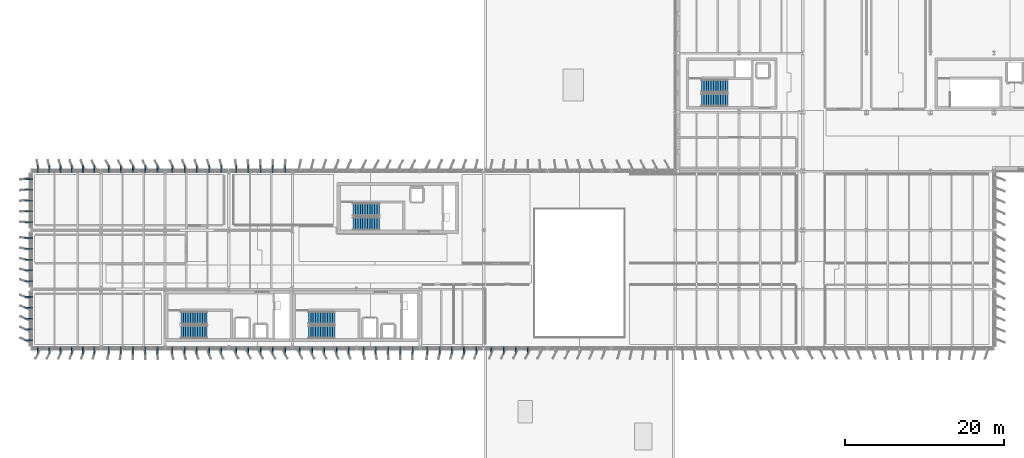
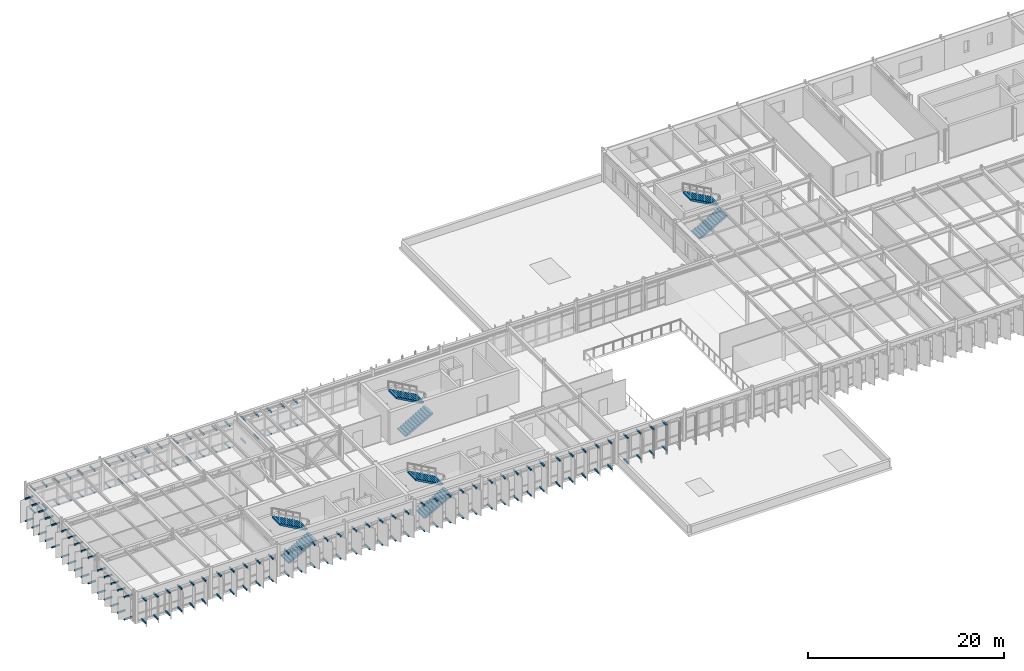
# One storey, part 44 of 56: 152 discrete accessories, 8 stair flights, 4 elements without a shape of their own.
"""IFC4 building model written with IfcOpenShell, lengths in metres."""

import ifcopenshell
import ifcopenshell.guid

model = None  # the IFC model being written
_history = None  # IfcOwnerHistory: only IFC2X3 demands one
_inside = {}  # id of a spatial element -> (the spatial element, [elements in it])
_under = {}  # id of a project, library or spatial element -> (it, [spatial elements below it])
_declared = {}  # id of a project -> (the project, [libraries it declares])
_typed = {}  # id of a type object -> (the type object, [elements of that type])
_made_of = {}  # id of a material, layer set ... -> (it, [elements and type objects made of it])


def new_model(schema):
    """Start an empty IFC model of exactly this schema.

    Asked for "IFC4X3", IfcOpenShell would pick the latest addendum, in which some entities
    have other attributes; the version numbers below select the first issue.
    IFC2X3 requires an IfcOwnerHistory on every rooted entity: one is made here for all.
    """
    global model, _history
    if schema == "IFC4X3":
        model = ifcopenshell.file(schema_version=(4, 3, 0, 0))
    else:
        model = ifcopenshell.file(schema=schema)
    _inside.clear()
    _under.clear()
    _declared.clear()
    _typed.clear()
    _made_of.clear()
    _history = None
    if model.schema == "IFC2X3":
        org = make("IfcOrganization", Name="unknown")
        user = make(
            "IfcPersonAndOrganization",
            ThePerson=make("IfcPerson", FamilyName="unknown"),
            TheOrganization=org,
        )
        app = make(
            "IfcApplication",
            ApplicationDeveloper=org,
            Version="unknown",
            ApplicationFullName="unknown",
            ApplicationIdentifier="unknown",
        )
        _history = make(
            "IfcOwnerHistory",
            OwningUser=user,
            OwningApplication=app,
            ChangeAction="ADDED",
            CreationDate=0,
        )
    return model


def make(cls, **values):
    """One entity of the class cls with the attributes given. An attribute that is None is left unset."""
    return model.create_entity(
        cls, **{name: value for name, value in values.items() if value is not None}
    )


def rooted(cls, **values):
    """An entity with a GlobalId (a new one), such as an element, a storey or a relation."""
    return make(cls, GlobalId=ifcopenshell.guid.new(), OwnerHistory=_history, **values)


def si_unit(unit_type, name, prefix=None):
    """IfcSIUnit, for example si_unit("LENGTHUNIT", "METRE", prefix="MILLI")."""
    return make("IfcSIUnit", UnitType=unit_type, Prefix=prefix, Name=name)


def assignment(units):
    """IfcUnitAssignment: the units of a project."""
    return None if units is None else make("IfcUnitAssignment", Units=units)


def point(xyz):
    """IfcCartesianPoint."""
    return None if xyz is None else make("IfcCartesianPoint", Coordinates=xyz)


def direction(xyz):
    """IfcDirection."""
    return None if xyz is None else make("IfcDirection", DirectionRatios=xyz)


def frame(location, z_axis=None, x_axis=None):
    """IfcAxis2Placement3D, a coordinate frame: its origin and axes. An axis left out is left unset."""
    return make(
        "IfcAxis2Placement3D",
        Location=point(location),
        Axis=direction(z_axis),
        RefDirection=direction(x_axis),
    )


def frame_2d(location, x_axis=None):
    """IfcAxis2Placement2D, a coordinate frame in the plane: its origin and x axis."""
    return make(
        "IfcAxis2Placement2D", Location=point(location), RefDirection=direction(x_axis)
    )


def origin():
    """The frame at (0, 0, 0) with its axes left unset."""
    return frame((0.0, 0.0, 0.0))


def origin_2d():
    """The frame at (0, 0) in the plane with its x axis left unset."""
    return frame_2d((0.0, 0.0))


def place(relative_to, where):
    """IfcLocalPlacement: puts the frame where relative to a parent placement (None: the world)."""
    return make(
        "IfcLocalPlacement", PlacementRelTo=relative_to, RelativePlacement=where
    )


def context(
    kind, dimensions, precision=None, world=None, true_north=None, identifier=None
):
    """IfcGeometricRepresentationContext, for example the 3D "Model" context."""
    return make(
        "IfcGeometricRepresentationContext",
        ContextIdentifier=identifier,
        ContextType=kind,
        CoordinateSpaceDimension=dimensions,
        Precision=precision,
        WorldCoordinateSystem=world,
        TrueNorth=true_north,
    )


def subcontext(parent, identifier, kind, view, scale=None):
    """IfcGeometricRepresentationSubContext, for example "Body" below "Model"."""
    return make(
        "IfcGeometricRepresentationSubContext",
        ContextIdentifier=identifier,
        ContextType=kind,
        ParentContext=parent,
        TargetScale=scale,
        TargetView=view,
    )


def project(units=None, contexts=None):
    """IfcProject with its units and contexts."""
    return rooted(
        "IfcProject",
        Name="project",
        RepresentationContexts=contexts,
        UnitsInContext=assignment(units),
    )


def spatial(cls, under=None, at=None, **own):
    """A site, building, storey or space (cls), placed at a placement, below another one or the project."""
    s = rooted(cls, ObjectPlacement=at, **own)
    if under is not None:
        _under.setdefault(under.id(), (under, []))[1].append(s)
    return s


def polyline(points):
    """IfcPolyline through the points."""
    return make("IfcPolyline", Points=[point(p) for p in points])


def profile(cls, at=None, kind="AREA", **sizes):
    """A parametric profile (cls). Its sizes go by their IFC names, for example OverallWidth=200.0."""
    return make(cls, ProfileType=kind, Position=at, **sizes)


def rectangle(**sizes):
    """IfcRectangleProfileDef."""
    return profile("IfcRectangleProfileDef", **sizes)


def outline(outer, holes=None, kind="AREA"):
    """IfcArbitraryClosedProfileDef: a profile drawn as a closed curve; with holes, ...WithVoids."""
    if holes is None:
        return make("IfcArbitraryClosedProfileDef", ProfileType=kind, OuterCurve=outer)
    return make(
        "IfcArbitraryProfileDefWithVoids",
        ProfileType=kind,
        OuterCurve=outer,
        InnerCurves=holes,
    )


def extrude(swept, where, along, depth):
    """IfcExtrudedAreaSolid: the profile swept, set in the frame where, extruded along a direction by depth."""
    return make(
        "IfcExtrudedAreaSolid",
        SweptArea=swept,
        Position=where,
        ExtrudedDirection=direction(along),
        Depth=depth,
    )


def shape(context_of_items, identifier, shape_type, items):
    """IfcShapeRepresentation: the items that make up one representation, for example the "Body"."""
    return make(
        "IfcShapeRepresentation",
        ContextOfItems=context_of_items,
        RepresentationIdentifier=identifier,
        RepresentationType=shape_type,
        Items=items,
    )


def material(Name=None, Category=None):
    """IfcMaterial."""
    return make("IfcMaterial", Name=Name, Category=Category)


def made_of(thing, what):
    """Note that an element or type object is made of a material, layer set ...; save() writes the relation."""
    if what is not None:
        _made_of.setdefault(what.id(), (what, []))[1].append(thing)
    return thing


def type_object(cls, material=None, **own):
    """A type object (cls), such as IfcWallType, which elements share."""
    return made_of(rooted(cls, **own), material)


def element(
    cls,
    number,
    at=None,
    inside=None,
    cuts=None,
    type_object=None,
    material=None,
    context=None,
    identifier="Body",
    shape_type=None,
    held_by="IfcProductDefinitionShape",
    body=None,
    shapes=None,
    **own,
):
    """One element of the class cls, such as IfcWall. Its Tag is "e" and its number.

    at: its placement. inside: the storey or other place that contains it. cuts: it is an
    opening in that element (IfcRelVoidsElement). A single representation is given by context,
    identifier, shape_type and body (its items); several are given by shapes. held_by: the class
    of the entity that holds the representations. save() writes the other relations.
    """
    e = rooted(cls, Tag="e%d" % number, ObjectPlacement=at, **own)
    if body is not None:
        shapes = [shape(context, identifier, shape_type, body)]
    if shapes is not None:
        e.Representation = make(held_by, Representations=shapes)
    if inside is not None:
        _inside.setdefault(inside.id(), (inside, []))[1].append(e)
    if cuts is not None:
        rooted(
            "IfcRelVoidsElement", RelatingBuildingElement=cuts, RelatedOpeningElement=e
        )
    if type_object is not None:
        _typed.setdefault(type_object.id(), (type_object, []))[1].append(e)
    return made_of(e, material)


def aggregate(whole, parts):
    """IfcRelAggregates: a whole, such as a stair, and the parts it consists of."""
    return rooted("IfcRelAggregates", RelatingObject=whole, RelatedObjects=parts)


def save(model, path):
    """Write the relations noted so far, then the file.

    IfcRelAggregates (storeys below a building ...), IfcRelContainedInSpatialStructure (elements
    in a storey), IfcRelDefinesByType, IfcRelAssociatesMaterial and IfcRelDeclares: one each for
    every whole, place, type object, material and project.
    """
    for whole, parts in _under.values():
        aggregate(whole, parts)
    for where, things in _inside.values():
        rooted(
            "IfcRelContainedInSpatialStructure",
            RelatedElements=things,
            RelatingStructure=where,
        )
    for kind, things in _typed.values():
        rooted("IfcRelDefinesByType", RelatedObjects=things, RelatingType=kind)
    for what, things in _made_of.values():
        rooted("IfcRelAssociatesMaterial", RelatedObjects=things, RelatingMaterial=what)
    for by, libraries in _declared.values():
        rooted("IfcRelDeclares", RelatingContext=by, RelatedDefinitions=libraries)
    model.write(path)


model = new_model("IFC4")

# Units and contexts
model_context = context("Model", 3, precision=1e-05, world=origin(), true_north=direction((0.0, 1.0)))
body_context = subcontext(model_context, "Body", "Model", "MODEL_VIEW")
ifc_project = project(units=[si_unit("LENGTHUNIT", "METRE"), si_unit("AREAUNIT", "SQUARE_METRE"), si_unit("VOLUMEUNIT", "CUBIC_METRE"), si_unit("PLANEANGLEUNIT", "RADIAN"), si_unit("MASSUNIT", "GRAM", prefix="KILO")], contexts=[model_context])

# Site, building, storey
site_placement = place(None, origin())
site = spatial("IfcSite", under=ifc_project, at=site_placement, CompositionType="ELEMENT")
building_placement = place(site_placement, origin())
building = spatial("IfcBuilding", under=site, at=building_placement, Name="Valkorina Park Police Headquarters", CompositionType="ELEMENT")
storey_placement = place(building_placement, frame((0.0, 0.0, 14.10009765625)))
storey = spatial("IfcBuildingStorey", under=building, at=storey_placement, Name="L04", CompositionType="ELEMENT", Elevation=14.10009765625)

# Stair, stair flights
ifc_material_1 = material(Name="Concrete C35/45", Category="concrete")
stair_type = type_object("IfcStairType", Name="ST-DOGLEG-160-40", PredefinedType="HALF_TURN_STAIR", material=ifc_material_1)
stair_1_placement = place(storey_placement, origin())
stair_1 = element("IfcStair", 1, at=stair_1_placement, inside=storey, type_object=stair_type, Name="L04 Core C1 Protected Stair (ST-05)", PredefinedType="HALF_TURN_STAIR")
stair_flight_type = type_object("IfcStairFlightType", Name="STF-STRAIGHT-160-40", PredefinedType="STRAIGHT", material=ifc_material_1)
stair_flight_1_placement = place(storey_placement, frame((18.800048828125, 39.0, 0.0), z_axis=(0.0, 0.0, 1.0), x_axis=(1.0, 0.0, 0.0)))
stair_flight_1 = element("IfcStairFlight", 2, at=stair_flight_1_placement, type_object=stair_flight_type, Name="ST-05 flight 1", NumberOfRisers=12, NumberOfTreads=11, PredefinedType="STRAIGHT", RiserHeight=0.166666667, TreadLength=0.3, context=body_context, shape_type="SweptSolid", body=[
    extrude(outline(polyline([(0.0, 0.0), (0.0, 0.166748046875), (0.300048828125, 0.166748046875), (0.300048828125, 0.333251953125), (0.60009765625, 0.333251953125), (0.60009765625, 0.5), (0.89990234375, 0.5), (0.89990234375, 0.666748046875), (1.199951171875, 0.666748046875), (1.199951171875, 0.833251953125), (1.5, 0.833251953125), (1.5, 1.0), (1.800048828125, 1.0), (1.800048828125, 1.166748046875), (2.10009765625, 1.166748046875), (2.10009765625, 1.333251953125), (2.39990234375, 1.333251953125), (2.39990234375, 1.5), (2.699951171875, 1.5), (2.699951171875, 1.666748046875), (3.0, 1.666748046875), (3.0, 1.833251953125), (3.300048828125, 1.833251953125), (3.300048828125, 2.0), (3.300048828125, 1.650390625), (0.329345703125, 0.0), (0.0, 0.0)])), frame((0.0, 0.800048828125, 0.0), z_axis=(0.0, -1.0, 0.0), x_axis=(1.0, 0.0, 0.0)), (0.0, 0.0, 1.0), 1.60009765625),
])
stair_flight_2_placement = place(storey_placement, frame((22.10009765625, 40.800048828125, 2.0), z_axis=(0.0, 0.0, 1.0), x_axis=(-1.0, 0.0, 0.0)))
stair_flight_2 = element("IfcStairFlight", 3, at=stair_flight_2_placement, type_object=stair_flight_type, Name="ST-05 flight 2", NumberOfRisers=12, NumberOfTreads=11, PredefinedType="STRAIGHT", RiserHeight=0.166666667, TreadLength=0.3, context=body_context, shape_type="SweptSolid", body=[
    extrude(outline(polyline([(0.0, 0.0), (0.0, 0.166748046875), (0.300048828125, 0.166748046875), (0.300048828125, 0.333251953125), (0.60009765625, 0.333251953125), (0.60009765625, 0.5), (0.89990234375, 0.5), (0.89990234375, 0.666748046875), (1.199951171875, 0.666748046875), (1.199951171875, 0.833251953125), (1.5, 0.833251953125), (1.5, 1.0), (1.800048828125, 1.0), (1.800048828125, 1.166748046875), (2.10009765625, 1.166748046875), (2.10009765625, 1.333251953125), (2.39990234375, 1.333251953125), (2.39990234375, 1.5), (2.699951171875, 1.5), (2.699951171875, 1.666748046875), (3.0, 1.666748046875), (3.0, 1.833251953125), (3.300048828125, 1.833251953125), (3.300048828125, 2.0), (3.300048828125, 1.650390625), (0.329345703125, 0.0), (0.0, 0.0)])), frame((0.0, 0.800048828125, 0.0), z_axis=(0.0, -1.0, 0.0), x_axis=(1.0, 0.0, 0.0)), (0.0, 0.0, 1.0), 1.60009765625),
])
aggregate(stair_1, [stair_flight_1, stair_flight_2])

stair_2_placement = place(storey_placement, origin())
stair_2 = element("IfcStair", 4, at=stair_2_placement, inside=storey, type_object=stair_type, Name="L04 Core C2 Protected Stair (ST-05)", PredefinedType="HALF_TURN_STAIR")
stair_flight_3_placement = place(storey_placement, frame((34.800048828125, 39.0, 0.0), z_axis=(0.0, 0.0, 1.0), x_axis=(1.0, 0.0, 0.0)))
stair_flight_3 = element("IfcStairFlight", 5, at=stair_flight_3_placement, type_object=stair_flight_type, Name="ST-05 flight 1", NumberOfRisers=12, NumberOfTreads=11, PredefinedType="STRAIGHT", RiserHeight=0.166666667, TreadLength=0.3, context=body_context, shape_type="SweptSolid", body=[
    extrude(outline(polyline([(0.0, 0.0), (0.0, 0.166748046875), (0.300048828125, 0.166748046875), (0.300048828125, 0.333251953125), (0.60009765625, 0.333251953125), (0.60009765625, 0.5), (0.89990234375, 0.5), (0.89990234375, 0.666748046875), (1.199951171875, 0.666748046875), (1.199951171875, 0.833251953125), (1.5, 0.833251953125), (1.5, 1.0), (1.800048828125, 1.0), (1.800048828125, 1.166748046875), (2.10009765625, 1.166748046875), (2.10009765625, 1.333251953125), (2.39990234375, 1.333251953125), (2.39990234375, 1.5), (2.699951171875, 1.5), (2.699951171875, 1.666748046875), (3.0, 1.666748046875), (3.0, 1.833251953125), (3.300048828125, 1.833251953125), (3.300048828125, 2.0), (3.300048828125, 1.650390625), (0.329345703125, 0.0), (0.0, 0.0)])), frame((0.0, 0.800048828125, 0.0), z_axis=(0.0, -1.0, 0.0), x_axis=(1.0, 0.0, 0.0)), (0.0, 0.0, 1.0), 1.60009765625),
])
stair_flight_4_placement = place(storey_placement, frame((38.10009765625, 40.800048828125, 2.0), z_axis=(0.0, 0.0, 1.0), x_axis=(-1.0, 0.0, 0.0)))
stair_flight_4 = element("IfcStairFlight", 6, at=stair_flight_4_placement, type_object=stair_flight_type, Name="ST-05 flight 2", NumberOfRisers=12, NumberOfTreads=11, PredefinedType="STRAIGHT", RiserHeight=0.166666667, TreadLength=0.3, context=body_context, shape_type="SweptSolid", body=[
    extrude(outline(polyline([(0.0, 0.0), (0.0, 0.166748046875), (0.300048828125, 0.166748046875), (0.300048828125, 0.333251953125), (0.60009765625, 0.333251953125), (0.60009765625, 0.5), (0.89990234375, 0.5), (0.89990234375, 0.666748046875), (1.199951171875, 0.666748046875), (1.199951171875, 0.833251953125), (1.5, 0.833251953125), (1.5, 1.0), (1.800048828125, 1.0), (1.800048828125, 1.166748046875), (2.10009765625, 1.166748046875), (2.10009765625, 1.333251953125), (2.39990234375, 1.333251953125), (2.39990234375, 1.5), (2.699951171875, 1.5), (2.699951171875, 1.666748046875), (3.0, 1.666748046875), (3.0, 1.833251953125), (3.300048828125, 1.833251953125), (3.300048828125, 2.0), (3.300048828125, 1.650390625), (0.329345703125, 0.0), (0.0, 0.0)])), frame((0.0, 0.800048828125, 0.0), z_axis=(0.0, -1.0, 0.0), x_axis=(1.0, 0.0, 0.0)), (0.0, 0.0, 1.0), 1.60009765625),
])
aggregate(stair_2, [stair_flight_3, stair_flight_4])

stair_3_placement = place(storey_placement, origin())
stair_3 = element("IfcStair", 7, at=stair_3_placement, inside=storey, type_object=stair_type, Name="L04 Core C3 Protected Stair (ST-05)", PredefinedType="HALF_TURN_STAIR")
stair_flight_5_placement = place(storey_placement, frame((40.39990234375, 52.60009765625, 0.0), z_axis=(0.0, 0.0, 1.0), x_axis=(1.0, 0.0, 0.0)))
stair_flight_5 = element("IfcStairFlight", 8, at=stair_flight_5_placement, type_object=stair_flight_type, Name="ST-05 flight 1", NumberOfRisers=12, NumberOfTreads=11, PredefinedType="STRAIGHT", RiserHeight=0.166666667, TreadLength=0.3, context=body_context, shape_type="SweptSolid", body=[
    extrude(outline(polyline([(0.0, 0.0), (0.0, 0.166748046875), (0.300048828125, 0.166748046875), (0.300048828125, 0.333251953125), (0.60009765625, 0.333251953125), (0.60009765625, 0.5), (0.89990234375, 0.5), (0.89990234375, 0.666748046875), (1.199951171875, 0.666748046875), (1.199951171875, 0.833251953125), (1.5, 0.833251953125), (1.5, 1.0), (1.800048828125, 1.0), (1.800048828125, 1.166748046875), (2.10009765625, 1.166748046875), (2.10009765625, 1.333251953125), (2.39990234375, 1.333251953125), (2.39990234375, 1.5), (2.699951171875, 1.5), (2.699951171875, 1.666748046875), (3.0, 1.666748046875), (3.0, 1.833251953125), (3.300048828125, 1.833251953125), (3.300048828125, 2.0), (3.300048828125, 1.650390625), (0.329345703125, 0.0), (0.0, 0.0)])), frame((0.0, 0.800048828125, 0.0), z_axis=(0.0, -1.0, 0.0), x_axis=(1.0, 0.0, 0.0)), (0.0, 0.0, 1.0), 1.60009765625),
])
stair_flight_6_placement = place(storey_placement, frame((43.699951171875, 54.39990234375, 2.0), z_axis=(0.0, 0.0, 1.0), x_axis=(-1.0, 0.0, 0.0)))
stair_flight_6 = element("IfcStairFlight", 9, at=stair_flight_6_placement, type_object=stair_flight_type, Name="ST-05 flight 2", NumberOfRisers=12, NumberOfTreads=11, PredefinedType="STRAIGHT", RiserHeight=0.166666667, TreadLength=0.3, context=body_context, shape_type="SweptSolid", body=[
    extrude(outline(polyline([(0.0, 0.0), (0.0, 0.166748046875), (0.300048828125, 0.166748046875), (0.300048828125, 0.333251953125), (0.60009765625, 0.333251953125), (0.60009765625, 0.5), (0.89990234375, 0.5), (0.89990234375, 0.666748046875), (1.199951171875, 0.666748046875), (1.199951171875, 0.833251953125), (1.5, 0.833251953125), (1.5, 1.0), (1.800048828125, 1.0), (1.800048828125, 1.166748046875), (2.10009765625, 1.166748046875), (2.10009765625, 1.333251953125), (2.39990234375, 1.333251953125), (2.39990234375, 1.5), (2.699951171875, 1.5), (2.699951171875, 1.666748046875), (3.0, 1.666748046875), (3.0, 1.833251953125), (3.300048828125, 1.833251953125), (3.300048828125, 2.0), (3.300048828125, 1.650390625), (0.329345703125, 0.0), (0.0, 0.0)])), frame((0.0, 0.800048828125, 0.0), z_axis=(0.0, -1.0, 0.0), x_axis=(1.0, 0.0, 0.0)), (0.0, 0.0, 1.0), 1.60009765625),
])
aggregate(stair_3, [stair_flight_5, stair_flight_6])

stair_4_placement = place(storey_placement, origin())
stair_4 = element("IfcStair", 10, at=stair_4_placement, inside=storey, type_object=stair_type, Name="L04 Core C6 Protected Stair (ST-05)", PredefinedType="HALF_TURN_STAIR")
stair_flight_7_placement = place(storey_placement, frame((84.10009765625, 68.10009765625, 0.0), z_axis=(0.0, 0.0, 1.0), x_axis=(1.0, 0.0, 0.0)))
stair_flight_7 = element("IfcStairFlight", 11, at=stair_flight_7_placement, type_object=stair_flight_type, Name="ST-05 flight 1", NumberOfRisers=12, NumberOfTreads=11, PredefinedType="STRAIGHT", RiserHeight=0.166666667, TreadLength=0.3, context=body_context, shape_type="SweptSolid", body=[
    extrude(outline(polyline([(0.0, 0.0), (0.0, 0.166748046875), (0.300048828125, 0.166748046875), (0.300048828125, 0.333251953125), (0.60009765625, 0.333251953125), (0.60009765625, 0.5), (0.89990234375, 0.5), (0.89990234375, 0.666748046875), (1.199951171875, 0.666748046875), (1.199951171875, 0.833251953125), (1.5, 0.833251953125), (1.5, 1.0), (1.800048828125, 1.0), (1.800048828125, 1.166748046875), (2.10009765625, 1.166748046875), (2.10009765625, 1.333251953125), (2.39990234375, 1.333251953125), (2.39990234375, 1.5), (2.699951171875, 1.5), (2.699951171875, 1.666748046875), (3.0, 1.666748046875), (3.0, 1.833251953125), (3.300048828125, 1.833251953125), (3.300048828125, 2.0), (3.300048828125, 1.650390625), (0.329345703125, 0.0), (0.0, 0.0)])), frame((0.0, 0.800048828125, 0.0), z_axis=(0.0, -1.0, 0.0), x_axis=(1.0, 0.0, 0.0)), (0.0, 0.0, 1.0), 1.60009765625),
])
stair_flight_8_placement = place(storey_placement, frame((87.39990234375, 69.89990234375, 2.0), z_axis=(0.0, 0.0, 1.0), x_axis=(-1.0, 0.0, 0.0)))
stair_flight_8 = element("IfcStairFlight", 12, at=stair_flight_8_placement, type_object=stair_flight_type, Name="ST-05 flight 2", NumberOfRisers=12, NumberOfTreads=11, PredefinedType="STRAIGHT", RiserHeight=0.166666667, TreadLength=0.3, context=body_context, shape_type="SweptSolid", body=[
    extrude(outline(polyline([(0.0, 0.0), (0.0, 0.166748046875), (0.300048828125, 0.166748046875), (0.300048828125, 0.333251953125), (0.60009765625, 0.333251953125), (0.60009765625, 0.5), (0.89990234375, 0.5), (0.89990234375, 0.666748046875), (1.199951171875, 0.666748046875), (1.199951171875, 0.833251953125), (1.5, 0.833251953125), (1.5, 1.0), (1.800048828125, 1.0), (1.800048828125, 1.166748046875), (2.10009765625, 1.166748046875), (2.10009765625, 1.333251953125), (2.39990234375, 1.333251953125), (2.39990234375, 1.5), (2.699951171875, 1.5), (2.699951171875, 1.666748046875), (3.0, 1.666748046875), (3.0, 1.833251953125), (3.300048828125, 1.833251953125), (3.300048828125, 2.0), (3.300048828125, 1.650390625), (0.329345703125, 0.0), (0.0, 0.0)])), frame((0.0, 0.800048828125, 0.0), z_axis=(0.0, -1.0, 0.0), x_axis=(1.0, 0.0, 0.0)), (0.0, 0.0, 1.0), 1.60009765625),
])
aggregate(stair_4, [stair_flight_7, stair_flight_8])

# Discrete accessories
ifc_material_2 = material(Name="Thermally broken aluminium AW-6060", Category="aluminium")
discrete_accessory_type = type_object("IfcDiscreteAccessoryType", Name="ACC-BRACKET-LOUVRE", PredefinedType="BRACKET", material=ifc_material_2)
for number, where, z_axis, x_axis, name in (
    (13, (0.86669921875, 59.47998046875, -0.06982421875), (0.0, 0.0, 1.0), (0.0, 1.0, 0.0), "Louvre Outrigger Bracket BOT 0001"),
    (14, (0.86669921875, 59.47998046875, 2.69482421875), (0.0, 0.0, 1.0), (0.0, 1.0, 0.0), "Louvre Outrigger Bracket TOP 0002"),
    (15, (2.280029296875, 59.47998046875, -0.06982421875), (0.0, 0.0, 1.0), (0.0, 1.0, 0.0), "Louvre Outrigger Bracket BOT 0003"),
    (16, (2.280029296875, 59.47998046875, 2.69482421875), (0.0, 0.0, 1.0), (0.0, 1.0, 0.0), "Louvre Outrigger Bracket TOP 0004"),
    (17, (3.693359375, 59.47998046875, -0.06982421875), (0.0, 0.0, 1.0), (0.0, 1.0, 0.0), "Louvre Outrigger Bracket BOT 0005"),
    (18, (3.693359375, 59.47998046875, 2.69482421875), (0.0, 0.0, 1.0), (0.0, 1.0, 0.0), "Louvre Outrigger Bracket TOP 0006"),
    (19, (5.106689453125, 59.47998046875, -0.06982421875), (0.0, 0.0, 1.0), (0.0, 1.0, 0.0), "Louvre Outrigger Bracket BOT 0007"),
    (20, (5.106689453125, 59.47998046875, 2.69482421875), (0.0, 0.0, 1.0), (0.0, 1.0, 0.0), "Louvre Outrigger Bracket TOP 0008"),
    (21, (6.52001953125, 59.47998046875, -0.06982421875), (0.0, 0.0, 1.0), (0.0, 1.0, 0.0), "Louvre Outrigger Bracket BOT 0009"),
    (22, (6.52001953125, 59.47998046875, 2.69482421875), (0.0, 0.0, 1.0), (0.0, 1.0, 0.0), "Louvre Outrigger Bracket TOP 0010"),
    (23, (7.933349609375, 59.47998046875, -0.06982421875), (0.0, 0.0, 1.0), (0.0, 1.0, 0.0), "Louvre Outrigger Bracket BOT 0011"),
    (24, (7.933349609375, 59.47998046875, 2.69482421875), (0.0, 0.0, 1.0), (0.0, 1.0, 0.0), "Louvre Outrigger Bracket TOP 0012"),
    (25, (9.72802734375, 59.47998046875, -0.06982421875), (0.0, 0.0, 1.0), (0.0, 1.0, 0.0), "Louvre Outrigger Bracket BOT 0013"),
    (26, (9.72802734375, 59.47998046875, 2.69482421875), (0.0, 0.0, 1.0), (0.0, 1.0, 0.0), "Louvre Outrigger Bracket TOP 0014"),
    (27, (11.263916015625, 59.47998046875, -0.06982421875), (0.0, 0.0, 1.0), (0.0, 1.0, 0.0), "Louvre Outrigger Bracket BOT 0015"),
    (28, (11.263916015625, 59.47998046875, 2.69482421875), (0.0, 0.0, 1.0), (0.0, 1.0, 0.0), "Louvre Outrigger Bracket TOP 0016"),
    (29, (12.800048828125, 59.47998046875, -0.06982421875), (0.0, 0.0, 1.0), (0.0, 1.0, 0.0), "Louvre Outrigger Bracket BOT 0017"),
    (30, (12.800048828125, 59.47998046875, 2.69482421875), (0.0, 0.0, 1.0), (0.0, 1.0, 0.0), "Louvre Outrigger Bracket TOP 0018"),
    (31, (14.3359375, 59.47998046875, -0.06982421875), (0.0, 0.0, 1.0), (0.0, 1.0, 0.0), "Louvre Outrigger Bracket BOT 0019"),
    (32, (14.3359375, 59.47998046875, 2.69482421875), (0.0, 0.0, 1.0), (0.0, 1.0, 0.0), "Louvre Outrigger Bracket TOP 0020"),
    (33, (15.8720703125, 59.47998046875, -0.06982421875), (0.0, 0.0, 1.0), (0.0, 1.0, 0.0), "Louvre Outrigger Bracket BOT 0021"),
    (34, (15.8720703125, 59.47998046875, 2.69482421875), (0.0, 0.0, 1.0), (0.0, 1.0, 0.0), "Louvre Outrigger Bracket TOP 0022"),
    (35, (17.72802734375, 59.47998046875, -0.06982421875), (0.0, 0.0, 1.0), (0.0, 1.0, 0.0), "Louvre Outrigger Bracket BOT 0023"),
    (36, (17.72802734375, 59.47998046875, 2.69482421875), (0.0, 0.0, 1.0), (0.0, 1.0, 0.0), "Louvre Outrigger Bracket TOP 0024"),
    (37, (19.263916015625, 59.47998046875, -0.06982421875), (0.0, 0.0, 1.0), (0.0, 1.0, 0.0), "Louvre Outrigger Bracket BOT 0025"),
    (38, (19.263916015625, 59.47998046875, 2.69482421875), (0.0, 0.0, 1.0), (0.0, 1.0, 0.0), "Louvre Outrigger Bracket TOP 0026"),
    (39, (20.800048828125, 59.47998046875, -0.06982421875), (0.0, 0.0, 1.0), (0.0, 1.0, 0.0), "Louvre Outrigger Bracket BOT 0027"),
    (40, (20.800048828125, 59.47998046875, 2.69482421875), (0.0, 0.0, 1.0), (0.0, 1.0, 0.0), "Louvre Outrigger Bracket TOP 0028"),
    (41, (22.3359375, 59.47998046875, -0.06982421875), (0.0, 0.0, 1.0), (0.0, 1.0, 0.0), "Louvre Outrigger Bracket BOT 0029"),
    (42, (22.3359375, 59.47998046875, 2.69482421875), (0.0, 0.0, 1.0), (0.0, 1.0, 0.0), "Louvre Outrigger Bracket TOP 0030"),
    (43, (23.8720703125, 59.47998046875, -0.06982421875), (0.0, 0.0, 1.0), (0.0, 1.0, 0.0), "Louvre Outrigger Bracket BOT 0031"),
    (44, (23.8720703125, 59.47998046875, 2.69482421875), (0.0, 0.0, 1.0), (0.0, 1.0, 0.0), "Louvre Outrigger Bracket TOP 0032"),
    (45, (25.72802734375, 59.47998046875, -0.06982421875), (0.0, 0.0, 1.0), (0.0, 1.0, 0.0), "Louvre Outrigger Bracket BOT 0033"),
    (46, (25.72802734375, 59.47998046875, 2.69482421875), (0.0, 0.0, 1.0), (0.0, 1.0, 0.0), "Louvre Outrigger Bracket TOP 0034"),
    (47, (27.263916015625, 59.47998046875, -0.06982421875), (0.0, 0.0, 1.0), (0.0, 1.0, 0.0), "Louvre Outrigger Bracket BOT 0035"),
    (48, (27.263916015625, 59.47998046875, 2.69482421875), (0.0, 0.0, 1.0), (0.0, 1.0, 0.0), "Louvre Outrigger Bracket TOP 0036"),
    (49, (28.800048828125, 59.47998046875, -0.06982421875), (0.0, 0.0, 1.0), (0.0, 1.0, 0.0), "Louvre Outrigger Bracket BOT 0037"),
    (50, (28.800048828125, 59.47998046875, 2.69482421875), (0.0, 0.0, 1.0), (0.0, 1.0, 0.0), "Louvre Outrigger Bracket TOP 0038"),
    (51, (30.3359375, 59.47998046875, -0.06982421875), (0.0, 0.0, 1.0), (0.0, 1.0, 0.0), "Louvre Outrigger Bracket BOT 0039"),
    (52, (30.3359375, 59.47998046875, 2.69482421875), (0.0, 0.0, 1.0), (0.0, 1.0, 0.0), "Louvre Outrigger Bracket TOP 0040"),
    (53, (31.8720703125, 59.47998046875, -0.06982421875), (0.0, 0.0, 1.0), (0.0, 1.0, 0.0), "Louvre Outrigger Bracket BOT 0041"),
    (54, (31.8720703125, 59.47998046875, 2.69482421875), (0.0, 0.0, 1.0), (0.0, 1.0, 0.0), "Louvre Outrigger Bracket TOP 0042"),
    (55, (62.324951171875, 36.719970703125, -0.06982421875), (0.0, 0.0, 1.0), (0.0, -1.0, 0.0), "Louvre Outrigger Bracket BOT 0205"),
    (56, (62.324951171875, 36.719970703125, 3.10498046875), (0.0, 0.0, 1.0), (0.0, -1.0, 0.0), "Louvre Outrigger Bracket TOP 0206"),
    (57, (60.800048828125, 36.719970703125, -0.06982421875), (0.0, 0.0, 1.0), (0.0, -1.0, 0.0), "Louvre Outrigger Bracket BOT 0207"),
    (58, (60.800048828125, 36.719970703125, 3.10498046875), (0.0, 0.0, 1.0), (0.0, -1.0, 0.0), "Louvre Outrigger Bracket TOP 0208"),
    (59, (59.275146484375, 36.719970703125, -0.06982421875), (0.0, 0.0, 1.0), (0.0, -1.0, 0.0), "Louvre Outrigger Bracket BOT 0209"),
    (60, (59.275146484375, 36.719970703125, 3.10498046875), (0.0, 0.0, 1.0), (0.0, -1.0, 0.0), "Louvre Outrigger Bracket TOP 0210"),
    (61, (57.750244140625, 36.719970703125, -0.06982421875), (0.0, 0.0, 1.0), (0.0, -1.0, 0.0), "Louvre Outrigger Bracket BOT 0211"),
    (62, (57.750244140625, 36.719970703125, 3.10498046875), (0.0, 0.0, 1.0), (0.0, -1.0, 0.0), "Louvre Outrigger Bracket TOP 0212"),
    (63, (55.846923828125, 36.719970703125, -0.06982421875), (0.0, 0.0, 1.0), (0.0, -1.0, 0.0), "Louvre Outrigger Bracket BOT 0213"),
    (64, (55.846923828125, 36.719970703125, 3.10498046875), (0.0, 0.0, 1.0), (0.0, -1.0, 0.0), "Louvre Outrigger Bracket TOP 0214"),
    (65, (54.31640625, 36.719970703125, -0.06982421875), (0.0, 0.0, 1.0), (0.0, -1.0, 0.0), "Louvre Outrigger Bracket BOT 0215"),
    (66, (54.31640625, 36.719970703125, 3.10498046875), (0.0, 0.0, 1.0), (0.0, -1.0, 0.0), "Louvre Outrigger Bracket TOP 0216"),
    (67, (52.7861328125, 36.719970703125, -0.06982421875), (0.0, 0.0, 1.0), (0.0, -1.0, 0.0), "Louvre Outrigger Bracket BOT 0217"),
    (68, (52.7861328125, 36.719970703125, 3.10498046875), (0.0, 0.0, 1.0), (0.0, -1.0, 0.0), "Louvre Outrigger Bracket TOP 0218"),
    (69, (51.255615234375, 36.719970703125, -0.06982421875), (0.0, 0.0, 1.0), (0.0, -1.0, 0.0), "Louvre Outrigger Bracket BOT 0219"),
    (70, (51.255615234375, 36.719970703125, 3.10498046875), (0.0, 0.0, 1.0), (0.0, -1.0, 0.0), "Louvre Outrigger Bracket TOP 0220"),
    (71, (49.72509765625, 36.719970703125, -0.06982421875), (0.0, 0.0, 1.0), (0.0, -1.0, 0.0), "Louvre Outrigger Bracket BOT 0221"),
    (72, (49.72509765625, 36.719970703125, 3.10498046875), (0.0, 0.0, 1.0), (0.0, -1.0, 0.0), "Louvre Outrigger Bracket TOP 0222"),
    (73, (47.8720703125, 36.719970703125, -0.06982421875), (0.0, 0.0, 1.0), (0.0, -1.0, 0.0), "Louvre Outrigger Bracket BOT 0223"),
    (74, (47.8720703125, 36.719970703125, 3.10498046875), (0.0, 0.0, 1.0), (0.0, -1.0, 0.0), "Louvre Outrigger Bracket TOP 0224"),
    (75, (46.3359375, 36.719970703125, -0.06982421875), (0.0, 0.0, 1.0), (0.0, -1.0, 0.0), "Louvre Outrigger Bracket BOT 0225"),
    (76, (46.3359375, 36.719970703125, 3.10498046875), (0.0, 0.0, 1.0), (0.0, -1.0, 0.0), "Louvre Outrigger Bracket TOP 0226"),
    (77, (44.800048828125, 36.719970703125, -0.06982421875), (0.0, 0.0, 1.0), (0.0, -1.0, 0.0), "Louvre Outrigger Bracket BOT 0227"),
    (78, (44.800048828125, 36.719970703125, 3.10498046875), (0.0, 0.0, 1.0), (0.0, -1.0, 0.0), "Louvre Outrigger Bracket TOP 0228"),
    (79, (43.263916015625, 36.719970703125, -0.06982421875), (0.0, 0.0, 1.0), (0.0, -1.0, 0.0), "Louvre Outrigger Bracket BOT 0229"),
    (80, (43.263916015625, 36.719970703125, 3.10498046875), (0.0, 0.0, 1.0), (0.0, -1.0, 0.0), "Louvre Outrigger Bracket TOP 0230"),
    (81, (41.72802734375, 36.719970703125, -0.06982421875), (0.0, 0.0, 1.0), (0.0, -1.0, 0.0), "Louvre Outrigger Bracket BOT 0231"),
    (82, (41.72802734375, 36.719970703125, 3.10498046875), (0.0, 0.0, 1.0), (0.0, -1.0, 0.0), "Louvre Outrigger Bracket TOP 0232"),
    (83, (39.8720703125, 36.719970703125, -0.06982421875), (0.0, 0.0, 1.0), (0.0, -1.0, 0.0), "Louvre Outrigger Bracket BOT 0233"),
    (84, (39.8720703125, 36.719970703125, 3.10498046875), (0.0, 0.0, 1.0), (0.0, -1.0, 0.0), "Louvre Outrigger Bracket TOP 0234"),
    (85, (38.3359375, 36.719970703125, -0.06982421875), (0.0, 0.0, 1.0), (0.0, -1.0, 0.0), "Louvre Outrigger Bracket BOT 0235"),
    (86, (38.3359375, 36.719970703125, 3.10498046875), (0.0, 0.0, 1.0), (0.0, -1.0, 0.0), "Louvre Outrigger Bracket TOP 0236"),
    (87, (36.800048828125, 36.719970703125, -0.06982421875), (0.0, 0.0, 1.0), (0.0, -1.0, 0.0), "Louvre Outrigger Bracket BOT 0237"),
    (88, (36.800048828125, 36.719970703125, 3.10498046875), (0.0, 0.0, 1.0), (0.0, -1.0, 0.0), "Louvre Outrigger Bracket TOP 0238"),
    (89, (35.263916015625, 36.719970703125, -0.06982421875), (0.0, 0.0, 1.0), (0.0, -1.0, 0.0), "Louvre Outrigger Bracket BOT 0239"),
    (90, (35.263916015625, 36.719970703125, 3.10498046875), (0.0, 0.0, 1.0), (0.0, -1.0, 0.0), "Louvre Outrigger Bracket TOP 0240"),
    (91, (33.72802734375, 36.719970703125, -0.06982421875), (0.0, 0.0, 1.0), (0.0, -1.0, 0.0), "Louvre Outrigger Bracket BOT 0241"),
    (92, (33.72802734375, 36.719970703125, 3.10498046875), (0.0, 0.0, 1.0), (0.0, -1.0, 0.0), "Louvre Outrigger Bracket TOP 0242"),
    (93, (31.8720703125, 36.719970703125, -0.06982421875), (0.0, 0.0, 1.0), (0.0, -1.0, 0.0), "Louvre Outrigger Bracket BOT 0243"),
    (94, (31.8720703125, 36.719970703125, 2.69482421875), (0.0, 0.0, 1.0), (0.0, -1.0, 0.0), "Louvre Outrigger Bracket TOP 0244"),
    (95, (30.3359375, 36.719970703125, -0.06982421875), (0.0, 0.0, 1.0), (0.0, -1.0, 0.0), "Louvre Outrigger Bracket BOT 0245"),
    (96, (30.3359375, 36.719970703125, 2.69482421875), (0.0, 0.0, 1.0), (0.0, -1.0, 0.0), "Louvre Outrigger Bracket TOP 0246"),
    (97, (28.800048828125, 36.719970703125, -0.06982421875), (0.0, 0.0, 1.0), (0.0, -1.0, 0.0), "Louvre Outrigger Bracket BOT 0247"),
    (98, (28.800048828125, 36.719970703125, 2.69482421875), (0.0, 0.0, 1.0), (0.0, -1.0, 0.0), "Louvre Outrigger Bracket TOP 0248"),
    (99, (27.263916015625, 36.719970703125, -0.06982421875), (0.0, 0.0, 1.0), (0.0, -1.0, 0.0), "Louvre Outrigger Bracket BOT 0249"),
    (100, (27.263916015625, 36.719970703125, 2.69482421875), (0.0, 0.0, 1.0), (0.0, -1.0, 0.0), "Louvre Outrigger Bracket TOP 0250"),
    (101, (25.72802734375, 36.719970703125, -0.06982421875), (0.0, 0.0, 1.0), (0.0, -1.0, 0.0), "Louvre Outrigger Bracket BOT 0251"),
    (102, (25.72802734375, 36.719970703125, 2.69482421875), (0.0, 0.0, 1.0), (0.0, -1.0, 0.0), "Louvre Outrigger Bracket TOP 0252"),
    (103, (23.8720703125, 36.719970703125, -0.06982421875), (0.0, 0.0, 1.0), (0.0, -1.0, 0.0), "Louvre Outrigger Bracket BOT 0253"),
    (104, (23.8720703125, 36.719970703125, 2.69482421875), (0.0, 0.0, 1.0), (0.0, -1.0, 0.0), "Louvre Outrigger Bracket TOP 0254"),
    (105, (22.3359375, 36.719970703125, -0.06982421875), (0.0, 0.0, 1.0), (0.0, -1.0, 0.0), "Louvre Outrigger Bracket BOT 0255"),
    (106, (22.3359375, 36.719970703125, 2.69482421875), (0.0, 0.0, 1.0), (0.0, -1.0, 0.0), "Louvre Outrigger Bracket TOP 0256"),
    (107, (20.800048828125, 36.719970703125, -0.06982421875), (0.0, 0.0, 1.0), (0.0, -1.0, 0.0), "Louvre Outrigger Bracket BOT 0257"),
    (108, (20.800048828125, 36.719970703125, 2.69482421875), (0.0, 0.0, 1.0), (0.0, -1.0, 0.0), "Louvre Outrigger Bracket TOP 0258"),
    (109, (19.263916015625, 36.719970703125, -0.06982421875), (0.0, 0.0, 1.0), (0.0, -1.0, 0.0), "Louvre Outrigger Bracket BOT 0259"),
    (110, (19.263916015625, 36.719970703125, 2.69482421875), (0.0, 0.0, 1.0), (0.0, -1.0, 0.0), "Louvre Outrigger Bracket TOP 0260"),
    (111, (17.72802734375, 36.719970703125, -0.06982421875), (0.0, 0.0, 1.0), (0.0, -1.0, 0.0), "Louvre Outrigger Bracket BOT 0261"),
    (112, (17.72802734375, 36.719970703125, 2.69482421875), (0.0, 0.0, 1.0), (0.0, -1.0, 0.0), "Louvre Outrigger Bracket TOP 0262"),
    (113, (15.8720703125, 36.719970703125, -0.06982421875), (0.0, 0.0, 1.0), (0.0, -1.0, 0.0), "Louvre Outrigger Bracket BOT 0263"),
    (114, (15.8720703125, 36.719970703125, 2.69482421875), (0.0, 0.0, 1.0), (0.0, -1.0, 0.0), "Louvre Outrigger Bracket TOP 0264"),
    (115, (14.3359375, 36.719970703125, -0.06982421875), (0.0, 0.0, 1.0), (0.0, -1.0, 0.0), "Louvre Outrigger Bracket BOT 0265"),
    (116, (14.3359375, 36.719970703125, 2.69482421875), (0.0, 0.0, 1.0), (0.0, -1.0, 0.0), "Louvre Outrigger Bracket TOP 0266"),
    (117, (12.800048828125, 36.719970703125, -0.06982421875), (0.0, 0.0, 1.0), (0.0, -1.0, 0.0), "Louvre Outrigger Bracket BOT 0267"),
    (118, (12.800048828125, 36.719970703125, 2.69482421875), (0.0, 0.0, 1.0), (0.0, -1.0, 0.0), "Louvre Outrigger Bracket TOP 0268"),
    (119, (11.263916015625, 36.719970703125, -0.06982421875), (0.0, 0.0, 1.0), (0.0, -1.0, 0.0), "Louvre Outrigger Bracket BOT 0269"),
    (120, (11.263916015625, 36.719970703125, 2.69482421875), (0.0, 0.0, 1.0), (0.0, -1.0, 0.0), "Louvre Outrigger Bracket TOP 0270"),
    (121, (9.72802734375, 36.719970703125, -0.06982421875), (0.0, 0.0, 1.0), (0.0, -1.0, 0.0), "Louvre Outrigger Bracket BOT 0271"),
    (122, (9.72802734375, 36.719970703125, 2.69482421875), (0.0, 0.0, 1.0), (0.0, -1.0, 0.0), "Louvre Outrigger Bracket TOP 0272"),
    (123, (7.933349609375, 36.719970703125, -0.06982421875), (0.0, 0.0, 1.0), (0.0, -1.0, 0.0), "Louvre Outrigger Bracket BOT 0273"),
    (124, (7.933349609375, 36.719970703125, 2.69482421875), (0.0, 0.0, 1.0), (0.0, -1.0, 0.0), "Louvre Outrigger Bracket TOP 0274"),
    (125, (6.52001953125, 36.719970703125, -0.06982421875), (0.0, 0.0, 1.0), (0.0, -1.0, 0.0), "Louvre Outrigger Bracket BOT 0275"),
    (126, (6.52001953125, 36.719970703125, 2.69482421875), (0.0, 0.0, 1.0), (0.0, -1.0, 0.0), "Louvre Outrigger Bracket TOP 0276"),
    (127, (5.106689453125, 36.719970703125, -0.06982421875), (0.0, 0.0, 1.0), (0.0, -1.0, 0.0), "Louvre Outrigger Bracket BOT 0277"),
    (128, (5.106689453125, 36.719970703125, 2.69482421875), (0.0, 0.0, 1.0), (0.0, -1.0, 0.0), "Louvre Outrigger Bracket TOP 0278"),
    (129, (3.693359375, 36.719970703125, -0.06982421875), (0.0, 0.0, 1.0), (0.0, -1.0, 0.0), "Louvre Outrigger Bracket BOT 0279"),
    (130, (3.693359375, 36.719970703125, 2.69482421875), (0.0, 0.0, 1.0), (0.0, -1.0, 0.0), "Louvre Outrigger Bracket TOP 0280"),
    (131, (2.280029296875, 36.719970703125, -0.06982421875), (0.0, 0.0, 1.0), (0.0, -1.0, 0.0), "Louvre Outrigger Bracket BOT 0281"),
    (132, (2.280029296875, 36.719970703125, 2.69482421875), (0.0, 0.0, 1.0), (0.0, -1.0, 0.0), "Louvre Outrigger Bracket TOP 0282"),
    (133, (0.86669921875, 36.719970703125, -0.06982421875), (0.0, 0.0, 1.0), (0.0, -1.0, 0.0), "Louvre Outrigger Bracket BOT 0283"),
    (134, (0.86669921875, 36.719970703125, 2.69482421875), (0.0, 0.0, 1.0), (0.0, -1.0, 0.0), "Louvre Outrigger Bracket TOP 0284"),
    (135, (-0.280029296875, 37.988037109375, -0.06982421875), (0.0, 0.0, 1.0), (-1.0, 0.0, 0.0), "Louvre Outrigger Bracket BOT 0285"),
    (136, (-0.280029296875, 37.988037109375, 2.69482421875), (0.0, 0.0, 1.0), (-1.0, 0.0, 0.0), "Louvre Outrigger Bracket TOP 0286"),
    (137, (-0.280029296875, 39.343994140625, -0.06982421875), (0.0, 0.0, 1.0), (-1.0, 0.0, 0.0), "Louvre Outrigger Bracket BOT 0287"),
    (138, (-0.280029296875, 39.343994140625, 2.69482421875), (0.0, 0.0, 1.0), (-1.0, 0.0, 0.0), "Louvre Outrigger Bracket TOP 0288"),
    (139, (-0.280029296875, 40.699951171875, -0.06982421875), (0.0, 0.0, 1.0), (-1.0, 0.0, 0.0), "Louvre Outrigger Bracket BOT 0289"),
    (140, (-0.280029296875, 40.699951171875, 2.69482421875), (0.0, 0.0, 1.0), (-1.0, 0.0, 0.0), "Louvre Outrigger Bracket TOP 0290"),
    (141, (-0.280029296875, 42.055908203125, -0.06982421875), (0.0, 0.0, 1.0), (-1.0, 0.0, 0.0), "Louvre Outrigger Bracket BOT 0291"),
    (142, (-0.280029296875, 42.055908203125, 2.69482421875), (0.0, 0.0, 1.0), (-1.0, 0.0, 0.0), "Louvre Outrigger Bracket TOP 0292"),
    (143, (-0.280029296875, 43.412109375, -0.06982421875), (0.0, 0.0, 1.0), (-1.0, 0.0, 0.0), "Louvre Outrigger Bracket BOT 0293"),
    (144, (-0.280029296875, 43.412109375, 2.69482421875), (0.0, 0.0, 1.0), (-1.0, 0.0, 0.0), "Louvre Outrigger Bracket TOP 0294"),
    (145, (-0.280029296875, 45.387939453125, -0.06982421875), (0.0, 0.0, 1.0), (-1.0, 0.0, 0.0), "Louvre Outrigger Bracket BOT 0295"),
    (146, (-0.280029296875, 45.387939453125, 3.10498046875), (0.0, 0.0, 1.0), (-1.0, 0.0, 0.0), "Louvre Outrigger Bracket TOP 0296"),
    (147, (-0.280029296875, 46.743896484375, -0.06982421875), (0.0, 0.0, 1.0), (-1.0, 0.0, 0.0), "Louvre Outrigger Bracket BOT 0297"),
    (148, (-0.280029296875, 46.743896484375, 3.10498046875), (0.0, 0.0, 1.0), (-1.0, 0.0, 0.0), "Louvre Outrigger Bracket TOP 0298"),
    (149, (-0.280029296875, 48.10009765625, -0.06982421875), (0.0, 0.0, 1.0), (-1.0, 0.0, 0.0), "Louvre Outrigger Bracket BOT 0299"),
    (150, (-0.280029296875, 48.10009765625, 3.10498046875), (0.0, 0.0, 1.0), (-1.0, 0.0, 0.0), "Louvre Outrigger Bracket TOP 0300"),
    (151, (-0.280029296875, 49.4560546875, -0.06982421875), (0.0, 0.0, 1.0), (-1.0, 0.0, 0.0), "Louvre Outrigger Bracket BOT 0301"),
    (152, (-0.280029296875, 49.4560546875, 3.10498046875), (0.0, 0.0, 1.0), (-1.0, 0.0, 0.0), "Louvre Outrigger Bracket TOP 0302"),
    (153, (-0.280029296875, 50.81201171875, -0.06982421875), (0.0, 0.0, 1.0), (-1.0, 0.0, 0.0), "Louvre Outrigger Bracket BOT 0303"),
    (154, (-0.280029296875, 50.81201171875, 3.10498046875), (0.0, 0.0, 1.0), (-1.0, 0.0, 0.0), "Louvre Outrigger Bracket TOP 0304"),
    (155, (-0.280029296875, 52.7880859375, -0.06982421875), (0.0, 0.0, 1.0), (-1.0, 0.0, 0.0), "Louvre Outrigger Bracket BOT 0305"),
    (156, (-0.280029296875, 52.7880859375, 2.69482421875), (0.0, 0.0, 1.0), (-1.0, 0.0, 0.0), "Louvre Outrigger Bracket TOP 0306"),
    (157, (-0.280029296875, 54.14404296875, -0.06982421875), (0.0, 0.0, 1.0), (-1.0, 0.0, 0.0), "Louvre Outrigger Bracket BOT 0307"),
    (158, (-0.280029296875, 54.14404296875, 2.69482421875), (0.0, 0.0, 1.0), (-1.0, 0.0, 0.0), "Louvre Outrigger Bracket TOP 0308"),
    (159, (-0.280029296875, 55.5, -0.06982421875), (0.0, 0.0, 1.0), (-1.0, 0.0, 0.0), "Louvre Outrigger Bracket BOT 0309"),
    (160, (-0.280029296875, 55.5, 2.69482421875), (0.0, 0.0, 1.0), (-1.0, 0.0, 0.0), "Louvre Outrigger Bracket TOP 0310"),
    (161, (-0.280029296875, 56.85595703125, -0.06982421875), (0.0, 0.0, 1.0), (-1.0, 0.0, 0.0), "Louvre Outrigger Bracket BOT 0311"),
    (162, (-0.280029296875, 56.85595703125, 2.69482421875), (0.0, 0.0, 1.0), (-1.0, 0.0, 0.0), "Louvre Outrigger Bracket TOP 0312"),
    (163, (-0.280029296875, 58.2119140625, -0.06982421875), (0.0, 0.0, 1.0), (-1.0, 0.0, 0.0), "Louvre Outrigger Bracket BOT 0313"),
    (164, (-0.280029296875, 58.2119140625, 2.69482421875), (0.0, 0.0, 1.0), (-1.0, 0.0, 0.0), "Louvre Outrigger Bracket TOP 0314"),
):
    element("IfcDiscreteAccessory", number, at=place(storey_placement, frame(where, z_axis=z_axis, x_axis=x_axis)), inside=storey, type_object=discrete_accessory_type, Name=name, PredefinedType="BRACKET", context=body_context, shape_type="SweptSolid", body=[
        extrude(rectangle(XDim=0.9599609375, YDim=0.139892578125, at=origin_2d()), origin(), (0.0, 0.0, 1.0), 0.179931640625),
    ])

save(model, "model.ifc")
